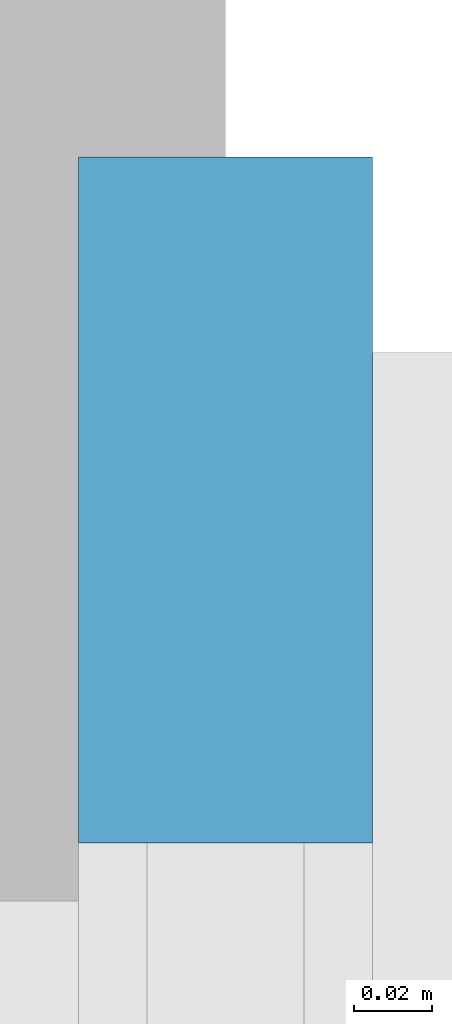
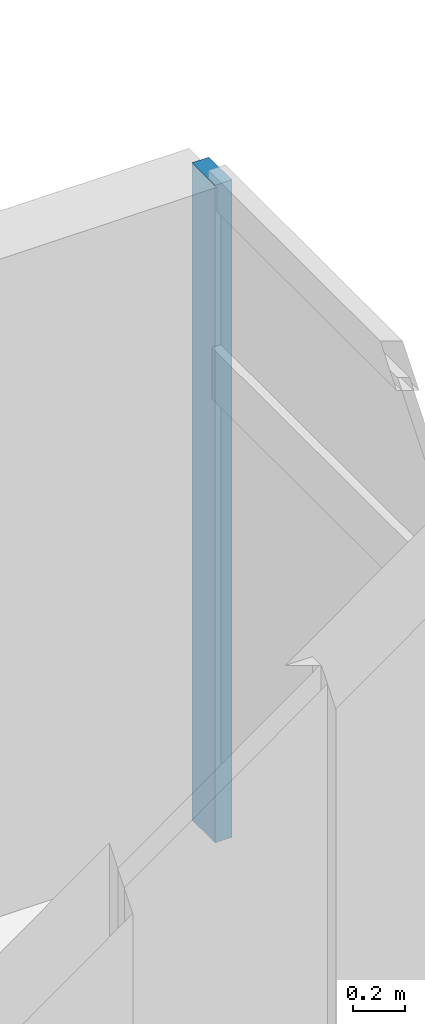
# One storey, part 6 of 14: 1 member, 1 element without a shape of its own.
"""IFC4 building model written with IfcOpenShell, lengths in metres."""

from ifc_helpers import new_model, si_unit, direction, frame, origin, origin_2d, place, context, subcontext, project, spatial, rectangle, extrude, material, material_profile, profile_set, type_object, element, aggregate, save


model = new_model("IFC4")

# Units and contexts
model_context = context("Model", 3, precision=1e-05, world=origin(), true_north=direction((0.0, 1.0)))
body_context = subcontext(model_context, "Body", "Model", "MODEL_VIEW")
ifc_project = project(units=[si_unit("LENGTHUNIT", "METRE"), si_unit("AREAUNIT", "SQUARE_METRE"), si_unit("VOLUMEUNIT", "CUBIC_METRE"), si_unit("PLANEANGLEUNIT", "RADIAN"), si_unit("MASSUNIT", "GRAM", prefix="KILO")], contexts=[model_context])

# Site, building, storey
site_placement = place(None, origin())
site = spatial("IfcSite", under=ifc_project, at=site_placement, CompositionType="ELEMENT")
building_placement = place(site_placement, origin())
building = spatial("IfcBuilding", under=site, at=building_placement, Name="Mirazonda Arch Towers", CompositionType="ELEMENT")
storey_placement = place(building_placement, frame((0.0, 0.0, 245.800048828125)))
storey = spatial("IfcBuildingStorey", under=building, at=storey_placement, Name="L70", CompositionType="ELEMENT", Elevation=245.800048828125)

# Curtain wall, member
ifc_material_1 = material(Name="Anodised Aluminium and Low-E Glass", Category="aluminium")
curtain_wall_type = type_object("IfcCurtainWallType", Name="CW-RES-UNIT", PredefinedType="NOTDEFINED", material=ifc_material_1)
curtain_wall_placement = place(storey_placement, origin())
curtain_wall = element("IfcCurtainWall", 1, at=curtain_wall_placement, inside=storey, type_object=curtain_wall_type, Name="L70 T1 E Facade CW-L70-T1-E", PredefinedType="NOTDEFINED")
ifc_material_2 = material(Name="Anodised Aluminium Alloy", Category="aluminium")
ifc_material_profile = material_profile(ifc_material_2, rectangle(XDim=0.074951171875, YDim=0.175048828125, at=origin_2d()), Name="ALU-MULL-75x175")
ifc_profile_set = profile_set([ifc_material_profile], Name="Anodised Aluminium Alloy")
member_type = type_object("IfcMemberType", Name="MULL-CW-RES-UNIT", PredefinedType="MULLION", material=ifc_profile_set)
member_placement = place(storey_placement, frame((42.820068359375, 41.896484375, 0.0), z_axis=(0.0, 0.0, 1.0), x_axis=(-1.0, 0.0, 0.0)))
member = element("IfcMember", 2, at=member_placement, type_object=member_type, Name="CW-104 mullion 4", PredefinedType="MULLION", context=body_context, shape_type="SweptSolid", body=[
    extrude(rectangle(XDim=0.074951171875, YDim=0.175048828125, at=origin_2d()), origin(), (0.0, 0.0, 1.0), 3.079833984375),
])
aggregate(curtain_wall, [member])

save(model, "model.ifc")
